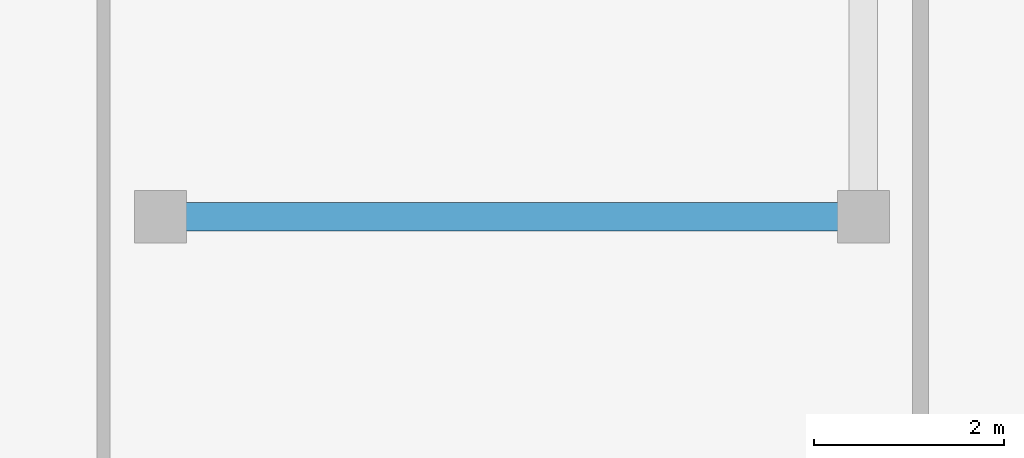
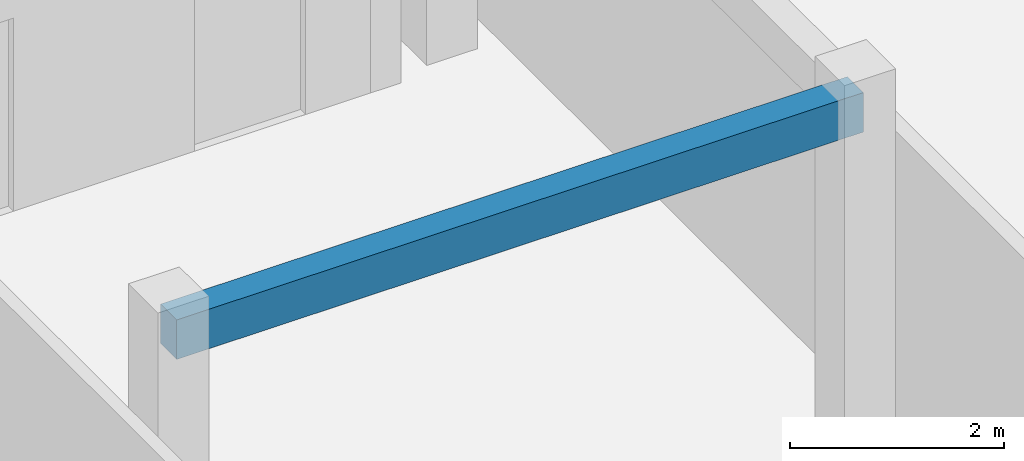
# One storey, part 12 of 46: 1 beam.
"""IFC4 building model written with IfcOpenShell, lengths in metres."""

from ifc_helpers import new_model, si_unit, direction, frame, origin, origin_2d, place, context, subcontext, project, spatial, rectangle, extrude, material, material_profile, profile_set, type_object, element, save


model = new_model("IFC4")

# Units and contexts
model_context = context("Model", 3, precision=1e-05, world=origin(), true_north=direction((0.0, 1.0)))
body_context = subcontext(model_context, "Body", "Model", "MODEL_VIEW")
ifc_project = project(units=[si_unit("LENGTHUNIT", "METRE"), si_unit("AREAUNIT", "SQUARE_METRE"), si_unit("VOLUMEUNIT", "CUBIC_METRE"), si_unit("PLANEANGLEUNIT", "RADIAN"), si_unit("MASSUNIT", "GRAM", prefix="KILO")], contexts=[model_context])

# Site, building, storey
site_placement = place(None, origin())
site = spatial("IfcSite", under=ifc_project, at=site_placement, CompositionType="ELEMENT")
building_placement = place(site_placement, origin())
building = spatial("IfcBuilding", under=site, at=building_placement, Name="Pelvatis Terrace Science Centre", CompositionType="ELEMENT")
storey_placement = place(building_placement, frame((0.0, 0.0, 19.800048828125)))
storey = spatial("IfcBuildingStorey", under=building, at=storey_placement, Name="L04", CompositionType="ELEMENT", Elevation=19.800048828125)

# Beam
ifc_material = material(Name="Concrete C35/45", Category="concrete")
ifc_material_profile = material_profile(ifc_material, rectangle(XDim=0.300048828125, YDim=0.449951171875, at=origin_2d()), Name="RC-BM 300x450")
ifc_profile_set = profile_set([ifc_material_profile], Name="Concrete C35/45")
beam_type = type_object("IfcBeamType", Name="BM-RC-300x450", PredefinedType="BEAM", material=ifc_profile_set)
beam_placement = place(storey_placement, frame((140.800048828125, 70.199951171875, 4.02490234375), z_axis=(1.0, 0.0, 0.0), x_axis=(0.0, 1.0, 0.0)))
element("IfcBeam", 1, at=beam_placement, inside=storey, type_object=beam_type, Name="Beam BM-L04-3108", PredefinedType="BEAM", context=body_context, shape_type="SweptSolid", body=[
    extrude(rectangle(XDim=0.300048828125, YDim=0.449951171875, at=origin_2d()), origin(), (0.0, 0.0, 1.0), 7.39990234375),
])

save(model, "model.ifc")
